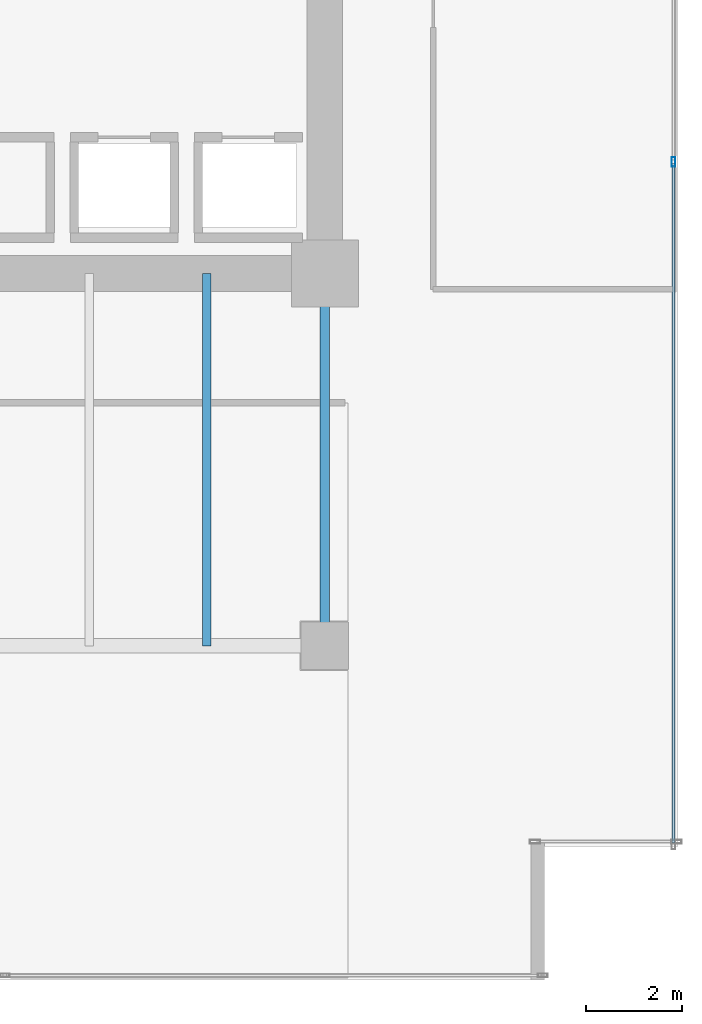
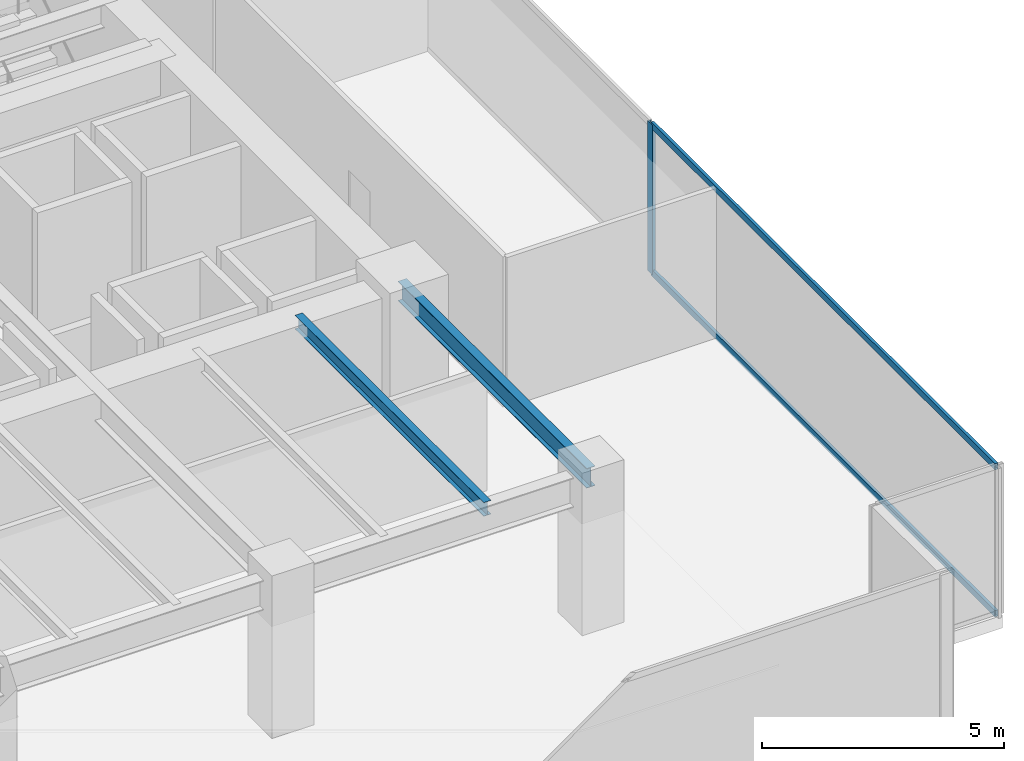
# One storey, part 24 of 36: 3 members, 2 beams, 1 element without a shape of its own.
"""IFC4 building model written with IfcOpenShell, lengths in metres."""

from ifc_helpers import new_model, si_unit, direction, frame, origin, origin_2d, place, context, subcontext, project, spatial, hollow_rectangle, i_section, extrude, source, transform, mapped, material, layer, layer_set, material_profile, profile_set, type_object, type_shapes, element, aggregate, save


model = new_model("IFC4")

# Units and contexts
model_context = context("Model", 3, precision=1e-05, world=origin(), true_north=direction((0.0, 1.0)))
body_context = subcontext(model_context, "Body", "Model", "MODEL_VIEW")
ifc_project = project(units=[si_unit("LENGTHUNIT", "METRE"), si_unit("AREAUNIT", "SQUARE_METRE"), si_unit("VOLUMEUNIT", "CUBIC_METRE"), si_unit("PLANEANGLEUNIT", "RADIAN"), si_unit("MASSUNIT", "GRAM", prefix="KILO")], contexts=[model_context])

# Site, building, storey
site_placement = place(None, origin())
site = spatial("IfcSite", under=ifc_project, at=site_placement, CompositionType="ELEMENT")
building_placement = place(site_placement, origin())
building = spatial("IfcBuilding", under=site, at=building_placement, Name="Haelvirn Gate Laboratories", CompositionType="ELEMENT")
storey_placement = place(building_placement, frame((0.0, 0.0, 53.89990234375)))
storey = spatial("IfcBuildingStorey", under=building, at=storey_placement, Name="L13", CompositionType="ELEMENT", Elevation=53.89990234375)

# Beams
ifc_material_1 = material(Name="Steel SM355", Category="steel")
ifc_material_profile_1 = material_profile(ifc_material_1, i_section(OverallWidth=0.199951171875, OverallDepth=0.5, WebThickness=0.010009765625, FlangeThickness=0.01611328125, at=origin_2d()), Name="H-500x200x10x16")
ifc_profile_set_1 = profile_set([ifc_material_profile_1], Name="Steel SM355")
beam_type_1 = type_object("IfcBeamType", Name="BM-SP-500", PredefinedType="SPANDREL", material=ifc_profile_set_1)
shared_shape_1 = source(origin(), body_context, "Body", "SweptSolid", [
    extrude(i_section(OverallWidth=0.199951171875, OverallDepth=0.5, WebThickness=0.010009765625, FlangeThickness=0.01611328125, at=origin_2d()), origin(), (0.0, 0.0, 1.0), 7.800048828125),
])
type_shapes(beam_type_1, [shared_shape_1])
beam_1_placement = place(storey_placement, frame((67.39990234375, 7.0, 3.530029296875), z_axis=(0.0, 1.0, 0.0), x_axis=(-1.0, 0.0, 0.0)))
element("IfcBeam", 1, at=beam_1_placement, inside=storey, type_object=beam_type_1, Name="L13 Perimeter Spandrel X67.4 (7.0-14.8)", PredefinedType="SPANDREL", context=body_context, shape_type="MappedRepresentation", body=[
    mapped(shared_shape_1, transform((0.0, 0.0, 0.0), scale=1.0)),
])
ifc_material_profile_2 = material_profile(ifc_material_1, i_section(OverallWidth=0.175048828125, OverallDepth=0.35009765625, WebThickness=0.007080078125, FlangeThickness=0.010986328125, at=origin_2d()), Name="H-350x175x7x11")
ifc_profile_set_2 = profile_set([ifc_material_profile_2], Name="Steel SM355")
beam_type_2 = type_object("IfcBeamType", Name="BM-J-350", PredefinedType="JOIST", material=ifc_profile_set_2)
shared_shape_2 = source(origin(), body_context, "Body", "SweptSolid", [
    extrude(i_section(OverallWidth=0.175048828125, OverallDepth=0.35009765625, WebThickness=0.007080078125, FlangeThickness=0.010986328125, at=origin_2d()), origin(), (0.0, 0.0, 1.0), 7.800048828125),
])
type_shapes(beam_type_2, [shared_shape_2])
beam_2_placement = place(storey_placement, frame((64.929931640625, 7.0, 3.60498046875), z_axis=(0.0, 1.0, 0.0), x_axis=(-1.0, 0.0, 0.0)))
element("IfcBeam", 2, at=beam_2_placement, inside=storey, type_object=beam_type_2, Name="L13 Composite Lab Joist South X64.93", PredefinedType="JOIST", context=body_context, shape_type="MappedRepresentation", body=[
    mapped(shared_shape_2, transform((0.0, 0.0, 0.0), scale=1.0)),
])

# Curtain wall, members
ifc_material_2 = material(Name="Anodised bronze unitised aluminium & triple low-E glass", Category="aluminium")
ifc_layer = layer(ifc_material_2, 0.18408203125, Name="CW-SYS-2")
ifc_layer_set = layer_set([ifc_layer], Name="Anodised bronze unitised aluminium & triple low-E glass")
curtain_wall_type = type_object("IfcCurtainWallType", Name="CW-SYS-2", PredefinedType="NOTDEFINED", material=ifc_layer_set)
curtain_wall_placement = place(storey_placement, origin())
curtain_wall = element("IfcCurtainWall", 3, at=curtain_wall_placement, inside=storey, type_object=curtain_wall_type, Name="L13 Unitised Curtain Wall CW-L13-P0-E07", PredefinedType="NOTDEFINED")
ifc_material_3 = material(Name="Extruded aluminium 6063-T6 (anodised bronze)", Category="aluminium")
ifc_material_profile_3 = material_profile(ifc_material_3, hollow_rectangle(XDim=0.074951171875, YDim=0.199951171875, WallThickness=0.0048828125, at=origin_2d()), Name="CWM-200x75x5")
ifc_profile_set_3 = profile_set([ifc_material_profile_3], Name="Extruded aluminium 6063-T6 (anodised bronze)")
member_type_1 = type_object("IfcMemberType", Name="CWM-T200", PredefinedType="MULLION", material=ifc_profile_set_3)
shared_shape_3 = source(origin(), body_context, "Body", "SweptSolid", [
    extrude(hollow_rectangle(XDim=0.074951171875, YDim=0.199951171875, WallThickness=0.0048828125, at=origin_2d()), origin(), (0.0, 0.0, 1.0), 3.780029296875),
])
type_shapes(member_type_1, [shared_shape_3])
member_1_placement = place(storey_placement, frame((74.699951171875, 17.13330078125, 0.0), z_axis=(0.0, 0.0, 1.0), x_axis=(-1.0, 0.0, 0.0)))
member_1 = element("IfcMember", 4, at=member_1_placement, type_object=member_type_1, Name="CW2 mullion 2", PredefinedType="MULLION", context=body_context, shape_type="MappedRepresentation", body=[
    mapped(shared_shape_3, transform((0.0, 0.0, 0.0), scale=1.0)),
])
ifc_material_profile_4 = material_profile(ifc_material_3, hollow_rectangle(XDim=0.070068359375, YDim=0.159912109375, WallThickness=0.0048828125, at=origin_2d()), Name="CWT-160x70x5")
ifc_profile_set_4 = profile_set([ifc_material_profile_4], Name="Extruded aluminium 6063-T6 (anodised bronze)")
member_type_2 = type_object("IfcMemberType", Name="CWT-T160", PredefinedType="USERDEFINED", material=ifc_profile_set_4)
shared_shape_4 = source(origin(), body_context, "Body", "SweptSolid", [
    extrude(hollow_rectangle(XDim=0.070068359375, YDim=0.159912109375, WallThickness=0.0048828125, at=origin_2d()), origin(), (0.0, 0.0, 1.0), 14.220947265625),
])
type_shapes(member_type_2, [shared_shape_4])
member_2_placement = place(storey_placement, frame((74.699951171875, 2.875, 0.03515625), z_axis=(0.0, 1.0, 0.0), x_axis=(-1.0, 0.0, 0.0)))
member_2 = element("IfcMember", 5, at=member_2_placement, type_object=member_type_2, Name="CW2 transom 1.1", ObjectType="TRANSOM", PredefinedType="USERDEFINED", context=body_context, shape_type="MappedRepresentation", body=[
    mapped(shared_shape_4, transform((0.0, 0.0, 0.0), scale=1.0)),
])
member_3_placement = place(storey_placement, frame((74.699951171875, 2.875, 3.7451171875), z_axis=(0.0, 1.0, 0.0), x_axis=(-1.0, 0.0, 0.0)))
member_3 = element("IfcMember", 6, at=member_3_placement, type_object=member_type_2, Name="CW2 transom 1.2", ObjectType="TRANSOM", PredefinedType="USERDEFINED", context=body_context, shape_type="MappedRepresentation", body=[
    mapped(shared_shape_4, transform((0.0, 0.0, 0.0), scale=1.0)),
])
aggregate(curtain_wall, [member_1, member_2, member_3])

save(model, "model.ifc")
